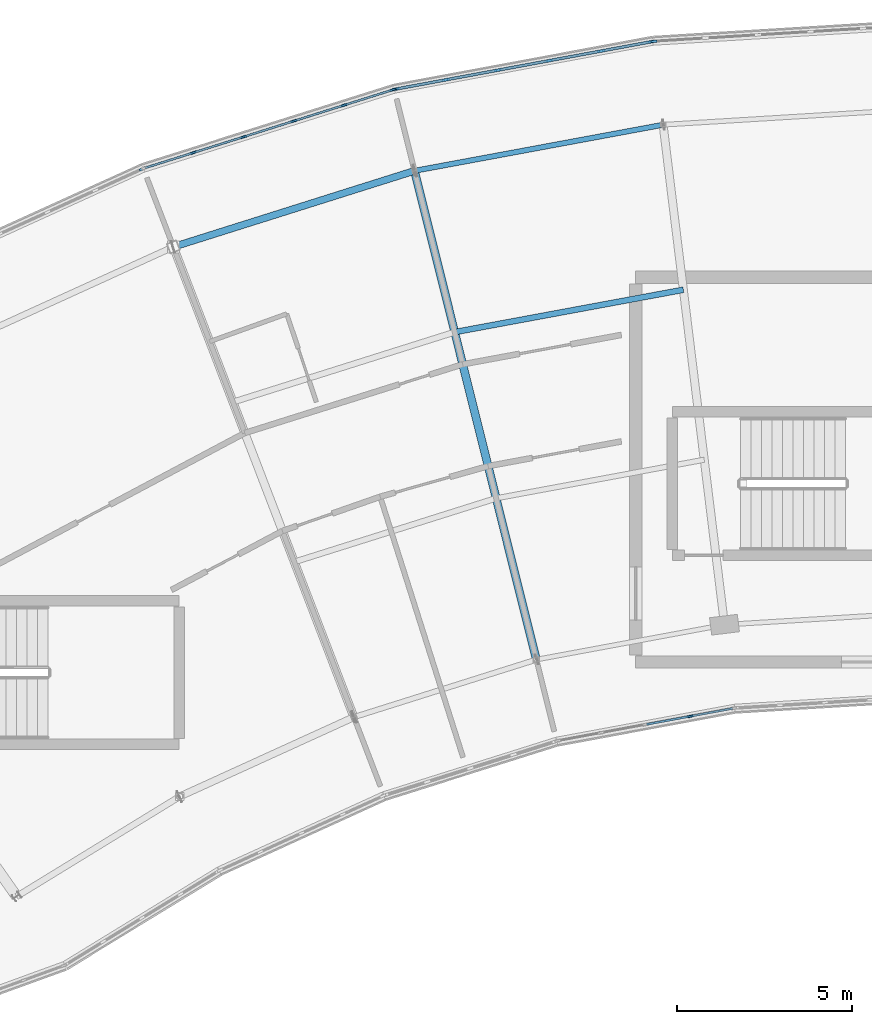
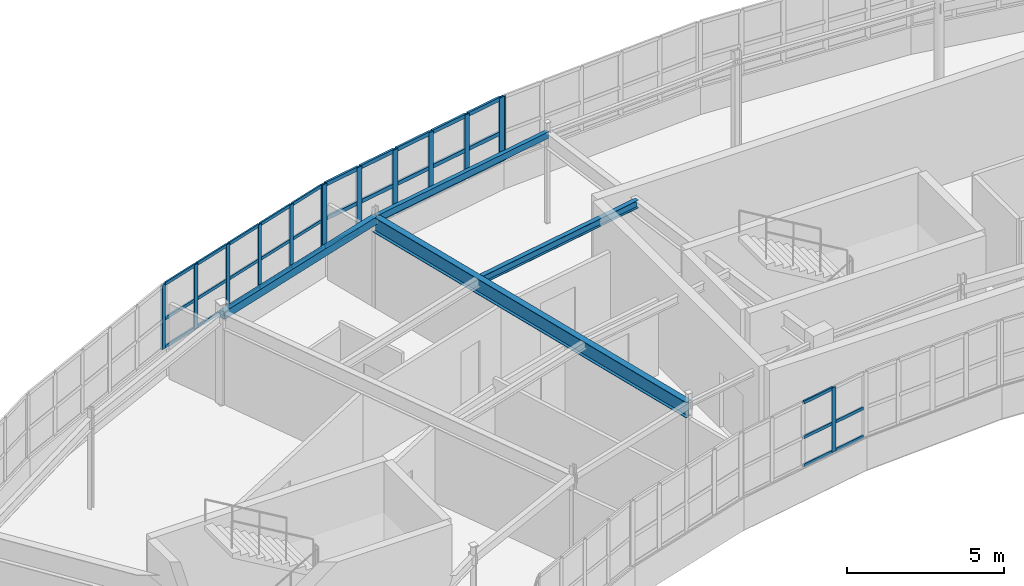
# One storey, part 28 of 65: 49 members, 4 beams, 5 elements without a shape of their own.
"""IFC4 building model written with IfcOpenShell, lengths in metres."""

import ifcopenshell
import ifcopenshell.guid

model = None  # the IFC model being written
_history = None  # IfcOwnerHistory: only IFC2X3 demands one
_inside = {}  # id of a spatial element -> (the spatial element, [elements in it])
_under = {}  # id of a project, library or spatial element -> (it, [spatial elements below it])
_declared = {}  # id of a project -> (the project, [libraries it declares])
_typed = {}  # id of a type object -> (the type object, [elements of that type])
_made_of = {}  # id of a material, layer set ... -> (it, [elements and type objects made of it])


def new_model(schema):
    """Start an empty IFC model of exactly this schema.

    Asked for "IFC4X3", IfcOpenShell would pick the latest addendum, in which some entities
    have other attributes; the version numbers below select the first issue.
    IFC2X3 requires an IfcOwnerHistory on every rooted entity: one is made here for all.
    """
    global model, _history
    if schema == "IFC4X3":
        model = ifcopenshell.file(schema_version=(4, 3, 0, 0))
    else:
        model = ifcopenshell.file(schema=schema)
    _inside.clear()
    _under.clear()
    _declared.clear()
    _typed.clear()
    _made_of.clear()
    _history = None
    if model.schema == "IFC2X3":
        org = make("IfcOrganization", Name="unknown")
        user = make(
            "IfcPersonAndOrganization",
            ThePerson=make("IfcPerson", FamilyName="unknown"),
            TheOrganization=org,
        )
        app = make(
            "IfcApplication",
            ApplicationDeveloper=org,
            Version="unknown",
            ApplicationFullName="unknown",
            ApplicationIdentifier="unknown",
        )
        _history = make(
            "IfcOwnerHistory",
            OwningUser=user,
            OwningApplication=app,
            ChangeAction="ADDED",
            CreationDate=0,
        )
    return model


def make(cls, **values):
    """One entity of the class cls with the attributes given. An attribute that is None is left unset."""
    return model.create_entity(
        cls, **{name: value for name, value in values.items() if value is not None}
    )


def rooted(cls, **values):
    """An entity with a GlobalId (a new one), such as an element, a storey or a relation."""
    return make(cls, GlobalId=ifcopenshell.guid.new(), OwnerHistory=_history, **values)


def si_unit(unit_type, name, prefix=None):
    """IfcSIUnit, for example si_unit("LENGTHUNIT", "METRE", prefix="MILLI")."""
    return make("IfcSIUnit", UnitType=unit_type, Prefix=prefix, Name=name)


def assignment(units):
    """IfcUnitAssignment: the units of a project."""
    return None if units is None else make("IfcUnitAssignment", Units=units)


def point(xyz):
    """IfcCartesianPoint."""
    return None if xyz is None else make("IfcCartesianPoint", Coordinates=xyz)


def direction(xyz):
    """IfcDirection."""
    return None if xyz is None else make("IfcDirection", DirectionRatios=xyz)


def frame(location, z_axis=None, x_axis=None):
    """IfcAxis2Placement3D, a coordinate frame: its origin and axes. An axis left out is left unset."""
    return make(
        "IfcAxis2Placement3D",
        Location=point(location),
        Axis=direction(z_axis),
        RefDirection=direction(x_axis),
    )


def frame_2d(location, x_axis=None):
    """IfcAxis2Placement2D, a coordinate frame in the plane: its origin and x axis."""
    return make(
        "IfcAxis2Placement2D", Location=point(location), RefDirection=direction(x_axis)
    )


def origin():
    """The frame at (0, 0, 0) with its axes left unset."""
    return frame((0.0, 0.0, 0.0))


def origin_2d():
    """The frame at (0, 0) in the plane with its x axis left unset."""
    return frame_2d((0.0, 0.0))


def place(relative_to, where):
    """IfcLocalPlacement: puts the frame where relative to a parent placement (None: the world)."""
    return make(
        "IfcLocalPlacement", PlacementRelTo=relative_to, RelativePlacement=where
    )


def context(
    kind, dimensions, precision=None, world=None, true_north=None, identifier=None
):
    """IfcGeometricRepresentationContext, for example the 3D "Model" context."""
    return make(
        "IfcGeometricRepresentationContext",
        ContextIdentifier=identifier,
        ContextType=kind,
        CoordinateSpaceDimension=dimensions,
        Precision=precision,
        WorldCoordinateSystem=world,
        TrueNorth=true_north,
    )


def subcontext(parent, identifier, kind, view, scale=None):
    """IfcGeometricRepresentationSubContext, for example "Body" below "Model"."""
    return make(
        "IfcGeometricRepresentationSubContext",
        ContextIdentifier=identifier,
        ContextType=kind,
        ParentContext=parent,
        TargetScale=scale,
        TargetView=view,
    )


def project(units=None, contexts=None):
    """IfcProject with its units and contexts."""
    return rooted(
        "IfcProject",
        Name="project",
        RepresentationContexts=contexts,
        UnitsInContext=assignment(units),
    )


def spatial(cls, under=None, at=None, **own):
    """A site, building, storey or space (cls), placed at a placement, below another one or the project."""
    s = rooted(cls, ObjectPlacement=at, **own)
    if under is not None:
        _under.setdefault(under.id(), (under, []))[1].append(s)
    return s


def profile(cls, at=None, kind="AREA", **sizes):
    """A parametric profile (cls). Its sizes go by their IFC names, for example OverallWidth=200.0."""
    return make(cls, ProfileType=kind, Position=at, **sizes)


def rectangle(**sizes):
    """IfcRectangleProfileDef."""
    return profile("IfcRectangleProfileDef", **sizes)


def hollow_rectangle(**sizes):
    """IfcRectangleHollowProfileDef."""
    return profile("IfcRectangleHollowProfileDef", **sizes)


def i_section(**sizes):
    """IfcIShapeProfileDef."""
    return profile("IfcIShapeProfileDef", **sizes)


def extrude(swept, where, along, depth):
    """IfcExtrudedAreaSolid: the profile swept, set in the frame where, extruded along a direction by depth."""
    return make(
        "IfcExtrudedAreaSolid",
        SweptArea=swept,
        Position=where,
        ExtrudedDirection=direction(along),
        Depth=depth,
    )


def shape(context_of_items, identifier, shape_type, items):
    """IfcShapeRepresentation: the items that make up one representation, for example the "Body"."""
    return make(
        "IfcShapeRepresentation",
        ContextOfItems=context_of_items,
        RepresentationIdentifier=identifier,
        RepresentationType=shape_type,
        Items=items,
    )


def material(Name=None, Category=None):
    """IfcMaterial."""
    return make("IfcMaterial", Name=Name, Category=Category)


def layer(
    of_material, thickness, ventilated=None, Name=None, Category=None, Priority=None
):
    """IfcMaterialLayer: one layer of a wall or slab, of a material (None: an air gap)."""
    return make(
        "IfcMaterialLayer",
        Material=of_material,
        LayerThickness=thickness,
        IsVentilated=ventilated,
        Name=Name,
        Category=Category,
        Priority=Priority,
    )


def layer_set(layers, Name=None):
    """IfcMaterialLayerSet."""
    return make("IfcMaterialLayerSet", MaterialLayers=layers, LayerSetName=Name)


def material_profile(
    of_material, cross_section, Name=None, Category=None, Priority=None
):
    """IfcMaterialProfile: a cross section and its material."""
    return make(
        "IfcMaterialProfile",
        Name=Name,
        Material=of_material,
        Profile=cross_section,
        Priority=Priority,
        Category=Category,
    )


def profile_set(profiles, Name=None, composite=None):
    """IfcMaterialProfileSet."""
    return make(
        "IfcMaterialProfileSet",
        Name=Name,
        MaterialProfiles=profiles,
        CompositeProfile=composite,
    )


def made_of(thing, what):
    """Note that an element or type object is made of a material, layer set ...; save() writes the relation."""
    if what is not None:
        _made_of.setdefault(what.id(), (what, []))[1].append(thing)
    return thing


def type_object(cls, material=None, **own):
    """A type object (cls), such as IfcWallType, which elements share."""
    return made_of(rooted(cls, **own), material)


def element(
    cls,
    number,
    at=None,
    inside=None,
    cuts=None,
    type_object=None,
    material=None,
    context=None,
    identifier="Body",
    shape_type=None,
    held_by="IfcProductDefinitionShape",
    body=None,
    shapes=None,
    **own,
):
    """One element of the class cls, such as IfcWall. Its Tag is "e" and its number.

    at: its placement. inside: the storey or other place that contains it. cuts: it is an
    opening in that element (IfcRelVoidsElement). A single representation is given by context,
    identifier, shape_type and body (its items); several are given by shapes. held_by: the class
    of the entity that holds the representations. save() writes the other relations.
    """
    e = rooted(cls, Tag="e%d" % number, ObjectPlacement=at, **own)
    if body is not None:
        shapes = [shape(context, identifier, shape_type, body)]
    if shapes is not None:
        e.Representation = make(held_by, Representations=shapes)
    if inside is not None:
        _inside.setdefault(inside.id(), (inside, []))[1].append(e)
    if cuts is not None:
        rooted(
            "IfcRelVoidsElement", RelatingBuildingElement=cuts, RelatedOpeningElement=e
        )
    if type_object is not None:
        _typed.setdefault(type_object.id(), (type_object, []))[1].append(e)
    return made_of(e, material)


def aggregate(whole, parts):
    """IfcRelAggregates: a whole, such as a stair, and the parts it consists of."""
    return rooted("IfcRelAggregates", RelatingObject=whole, RelatedObjects=parts)


def save(model, path):
    """Write the relations noted so far, then the file.

    IfcRelAggregates (storeys below a building ...), IfcRelContainedInSpatialStructure (elements
    in a storey), IfcRelDefinesByType, IfcRelAssociatesMaterial and IfcRelDeclares: one each for
    every whole, place, type object, material and project.
    """
    for whole, parts in _under.values():
        aggregate(whole, parts)
    for where, things in _inside.values():
        rooted(
            "IfcRelContainedInSpatialStructure",
            RelatedElements=things,
            RelatingStructure=where,
        )
    for kind, things in _typed.values():
        rooted("IfcRelDefinesByType", RelatedObjects=things, RelatingType=kind)
    for what, things in _made_of.values():
        rooted("IfcRelAssociatesMaterial", RelatedObjects=things, RelatingMaterial=what)
    for by, libraries in _declared.values():
        rooted("IfcRelDeclares", RelatingContext=by, RelatedDefinitions=libraries)
    model.write(path)


model = new_model("IFC4")

# Units and contexts
model_context = context("Model", 3, precision=1e-05, world=origin(), true_north=direction((0.0, 1.0)))
body_context = subcontext(model_context, "Body", "Model", "MODEL_VIEW")
ifc_project = project(units=[si_unit("LENGTHUNIT", "METRE"), si_unit("AREAUNIT", "SQUARE_METRE"), si_unit("VOLUMEUNIT", "CUBIC_METRE"), si_unit("PLANEANGLEUNIT", "RADIAN"), si_unit("MASSUNIT", "GRAM", prefix="KILO")], contexts=[model_context])

# Site, building, storey
site_placement = place(None, origin())
site = spatial("IfcSite", under=ifc_project, at=site_placement, CompositionType="ELEMENT")
building_placement = place(site_placement, origin())
building = spatial("IfcBuilding", under=site, at=building_placement, Name="Tarnwether General Hospital", CompositionType="ELEMENT")
storey_placement = place(building_placement, frame((0.0, 0.0, 22.199951171875)))
storey = spatial("IfcBuildingStorey", under=building, at=storey_placement, Name="L05", CompositionType="ELEMENT", Elevation=22.199951171875)

# Beams
ifc_material_1 = material(Name="Steel Grade 350 (350 MPa)", Category="steel")
ifc_material_profile_1 = material_profile(ifc_material_1, i_section(OverallWidth=0.22802734375, OverallDepth=0.60693359375, WebThickness=0.01123046875, FlangeThickness=0.017333984375, at=origin_2d()), Name="610UB113")
ifc_profile_set_1 = profile_set([ifc_material_profile_1], Name="Steel Grade 350 (350 MPa)")
beam_type_1 = type_object("IfcBeamType", Name="BM-G04", PredefinedType="BEAM", material=ifc_profile_set_1)
beam_1_placement = place(storey_placement, frame((77.677978515625, 120.44189453125, 3.256591796875), z_axis=(0.241941215118, -0.970290909175, 0.0), x_axis=(0.970290909175, 0.241941215118, 0.0)))
element("IfcBeam", 1, at=beam_1_placement, inside=storey, type_object=beam_type_1, Name="Curved Ward NW Radial Girder BMG-L05-7768_12044-8116_10647-1983", PredefinedType="BEAM", context=body_context, shape_type="SweptSolid", body=[
    extrude(i_section(OverallWidth=0.22802734375, OverallDepth=0.60693359375, WebThickness=0.01123046875, FlangeThickness=0.017333984375, at=origin_2d()), origin(), (0.0, 0.0, 1.0), 14.400634765625),
])
ifc_material_2 = material(Name="Steel Grade 350 (350 MPa)", Category="steel")
ifc_material_profile_2 = material_profile(ifc_material_2, i_section(OverallWidth=0.166015625, OverallDepth=0.306884765625, WebThickness=0.006591796875, FlangeThickness=0.01171875, at=origin_2d()), Name="310UB46.2")
ifc_profile_set_2 = profile_set([ifc_material_profile_2], Name="Steel Grade 350 (350 MPa)")
beam_type_2 = type_object("IfcBeamType", Name="BM-J05", PredefinedType="JOIST", material=ifc_profile_set_2)
beam_2_placement = place(storey_placement, frame((78.827880859375, 115.8310546875, 3.406494140625), z_axis=(0.983267388773, 0.18216817004, 0.0), x_axis=(-0.18216817004, 0.983267388773, 0.0)))
element("IfcBeam", 2, at=beam_2_placement, inside=storey, type_object=beam_type_2, Name="Curved Ward NW Chord Joist BMG-L05-7883_11583-8536_11704-1997", PredefinedType="JOIST", context=body_context, shape_type="SweptSolid", body=[
    extrude(i_section(OverallWidth=0.166015625, OverallDepth=0.306884765625, WebThickness=0.006591796875, FlangeThickness=0.01171875, at=origin_2d()), origin(), (0.0, 0.0, 1.0), 6.6474609375),
])
ifc_material_3 = material(Name="Steel Grade C350L0 (350 MPa)", Category="steel")
ifc_material_profile_3 = material_profile(ifc_material_3, hollow_rectangle(XDim=0.199951171875, YDim=0.300048828125, WallThickness=0.012451171875, at=origin_2d()), Name="RHS300x200x12.5")
ifc_profile_set_3 = profile_set([ifc_material_profile_3], Name="Steel Grade C350L0 (350 MPa)")
beam_type_3 = type_object("IfcBeamType", Name="BM-SP3", PredefinedType="SPANDREL", material=ifc_profile_set_3)
beam_3_placement = place(storey_placement, frame((70.784912109375, 118.26806640625, 3.41015625), z_axis=(0.953698988948, 0.300762761125, 0.0), x_axis=(-0.300762761125, 0.953698988948, 0.0)))
element("IfcBeam", 3, at=beam_3_placement, inside=storey, type_object=beam_type_3, Name="Curved Ward NW Outer Spandrel BMG-L05-7078_11827-7768_12044-1991", PredefinedType="SPANDREL", context=body_context, shape_type="SweptSolid", body=[
    extrude(hollow_rectangle(XDim=0.199951171875, YDim=0.300048828125, WallThickness=0.012451171875, at=origin_2d()), origin(), (0.0, 0.0, 1.0), 7.227783203125),
])
ifc_material_4 = material(Name="Steel Grade C350L0 (350 MPa)", Category="steel")
ifc_material_profile_4 = material_profile(ifc_material_4, hollow_rectangle(XDim=0.14990234375, YDim=0.25, WallThickness=0.010009765625, at=origin_2d()), Name="RHS250x150x10")
ifc_profile_set_4 = profile_set([ifc_material_profile_4], Name="Steel Grade C350L0 (350 MPa)")
beam_type_4 = type_object("IfcBeamType", Name="BM-SP4", PredefinedType="SPANDREL", material=ifc_profile_set_4)
beam_4_placement = place(storey_placement, frame((77.677978515625, 120.44189453125, 3.43505859375), z_axis=(0.98325623662, 0.182228354399, 0.0), x_axis=(-0.182228354399, 0.98325623662, 0.0)))
element("IfcBeam", 4, at=beam_4_placement, inside=storey, type_object=beam_type_4, Name="Curved Ward NW Outer Spandrel BMG-L05-7768_12044-8478_12176-1995", PredefinedType="SPANDREL", context=body_context, shape_type="SweptSolid", body=[
    extrude(hollow_rectangle(XDim=0.14990234375, YDim=0.25, WallThickness=0.010009765625, at=origin_2d()), origin(), (0.0, 0.0, 1.0), 7.22802734375),
])

# Curtain wall, member
ifc_material_5 = material(Name="Anodised aluminium", Category="aluminium")
ifc_layer_1 = layer(ifc_material_5, 0.159912109375)
ifc_layer_set_1 = layer_set([ifc_layer_1], Name="Anodised aluminium")
curtain_wall_type_1 = type_object("IfcCurtainWallType", Name="CW-03", PredefinedType="NOTDEFINED", material=ifc_layer_set_1)
curtain_wall_1_placement = place(storey_placement, origin())
curtain_wall_1 = element("IfcCurtainWall", 5, at=curtain_wall_1_placement, inside=storey, type_object=curtain_wall_type_1, Name="Curtain Wall CWG-L05-868_1051-0073", PredefinedType="NOTDEFINED")
ifc_material_6 = material(Name="Anodised aluminium", Category="aluminium")
ifc_material_profile_5 = material_profile(ifc_material_6, rectangle(XDim=0.06005859375, YDim=0.159912109375, at=origin_2d()), Name="ALU-MUL-60x160")
ifc_profile_set_5 = profile_set([ifc_material_profile_5], Name="Anodised aluminium")
member_type_1 = type_object("IfcMemberType", Name="CW-ML1", PredefinedType="MULLION", material=ifc_profile_set_5)
member_1_placement = place(storey_placement, frame((85.560546875, 104.84814453125, 1.050048828125), z_axis=(0.0, 0.0, 1.0), x_axis=(0.182165351666, -0.983267910924, 0.0)))
member_1 = element("IfcMember", 6, at=member_1_placement, type_object=member_type_1, Name="CW-03 mullion 2", PredefinedType="MULLION", context=body_context, shape_type="SweptSolid", body=[
    extrude(rectangle(XDim=0.06005859375, YDim=0.159912109375, at=origin_2d()), origin(), (0.0, 0.0, 1.0), 2.510009765625),
])

# Curtain wall, members
ifc_material_7 = material(Name="Anodised aluminium", Category="aluminium")
ifc_layer_2 = layer(ifc_material_7, 0.159912109375)
ifc_layer_set_2 = layer_set([ifc_layer_2], Name="Anodised aluminium")
curtain_wall_type_2 = type_object("IfcCurtainWallType", Name="CW-05", PredefinedType="NOTDEFINED", material=ifc_layer_set_2)
curtain_wall_2_placement = place(storey_placement, origin())
curtain_wall_2 = element("IfcCurtainWall", 7, at=curtain_wall_2_placement, inside=storey, type_object=curtain_wall_type_2, Name="Curtain Wall CWG-L05-699_1205-0093", PredefinedType="NOTDEFINED")
member_2_placement = place(storey_placement, frame((71.359619140625, 120.961181640625, 1.050048828125), z_axis=(0.0, 0.0, 1.0), x_axis=(-0.300628613299, 0.953741284032, 0.0)))
member_2 = element("IfcMember", 8, at=member_2_placement, type_object=member_type_1, Name="CW-05 mullion 2", PredefinedType="MULLION", context=body_context, shape_type="SweptSolid", body=[
    extrude(rectangle(XDim=0.06005859375, YDim=0.159912109375, at=origin_2d()), origin(), (0.0, 0.0, 1.0), 2.510009765625),
])
member_3_placement = place(storey_placement, frame((72.794189453125, 121.413330078125, 1.050048828125), z_axis=(0.0, 0.0, 1.0), x_axis=(-0.300628613299, 0.953741284032, 0.0)))
member_3 = element("IfcMember", 9, at=member_3_placement, type_object=member_type_1, Name="CW-05 mullion 3", PredefinedType="MULLION", context=body_context, shape_type="SweptSolid", body=[
    extrude(rectangle(XDim=0.06005859375, YDim=0.159912109375, at=origin_2d()), origin(), (0.0, 0.0, 1.0), 2.510009765625),
])
member_4_placement = place(storey_placement, frame((74.228759765625, 121.865478515625, 1.050048828125), z_axis=(0.0, 0.0, 1.0), x_axis=(-0.300628613299, 0.953741284032, 0.0)))
member_4 = element("IfcMember", 10, at=member_4_placement, type_object=member_type_1, Name="CW-05 mullion 4", PredefinedType="MULLION", context=body_context, shape_type="SweptSolid", body=[
    extrude(rectangle(XDim=0.06005859375, YDim=0.159912109375, at=origin_2d()), origin(), (0.0, 0.0, 1.0), 2.510009765625),
])
member_5_placement = place(storey_placement, frame((75.663330078125, 122.31787109375, 1.050048828125), z_axis=(0.0, 0.0, 1.0), x_axis=(-0.300628613299, 0.953741284032, 0.0)))
member_5 = element("IfcMember", 11, at=member_5_placement, type_object=member_type_1, Name="CW-05 mullion 5", PredefinedType="MULLION", context=body_context, shape_type="SweptSolid", body=[
    extrude(rectangle(XDim=0.06005859375, YDim=0.159912109375, at=origin_2d()), origin(), (0.0, 0.0, 1.0), 2.510009765625),
])
member_6_placement = place(storey_placement, frame((77.0693359375, 122.760986328125, 1.050048828125), z_axis=(0.0, 0.0, 1.0), x_axis=(-0.300628613299, 0.953741284032, 0.0)))
member_6 = element("IfcMember", 12, at=member_6_placement, type_object=member_type_1, Name="CW-05 mullion 6", PredefinedType="MULLION", context=body_context, shape_type="SweptSolid", body=[
    extrude(rectangle(XDim=0.06005859375, YDim=0.159912109375, at=origin_2d()), origin(), (0.0, 0.0, 1.0), 2.510009765625),
])

# Curtain wall, member
curtain_wall_3_placement = place(storey_placement, origin())
curtain_wall_3 = element("IfcCurtainWall", 13, at=curtain_wall_3_placement, inside=storey, type_object=curtain_wall_type_2, Name="Curtain Wall CWG-L05-631_1174-0094", PredefinedType="NOTDEFINED")
ifc_material_8 = material(Name="Anodised aluminium", Category="aluminium")
ifc_material_profile_6 = material_profile(ifc_material_8, rectangle(XDim=0.070068359375, YDim=0.179931640625, at=origin_2d()), Name="ALU-MUL-70x180")
ifc_profile_set_6 = profile_set([ifc_material_profile_6], Name="Anodised aluminium")
member_type_2 = type_object("IfcMemberType", Name="CW-ML2", PredefinedType="MULLION", material=ifc_profile_set_6)
member_7_placement = place(storey_placement, frame((69.89306640625, 120.494384765625, 1.050048828125), z_axis=(0.0, 0.0, 1.0), x_axis=(-0.414694289316, 0.909960793886, 0.0)))
member_7 = element("IfcMember", 14, at=member_7_placement, type_object=member_type_2, Name="CW-05 mullion 6", PredefinedType="MULLION", context=body_context, shape_type="SweptSolid", body=[
    extrude(rectangle(XDim=0.070068359375, YDim=0.179931640625, at=origin_2d()), origin(), (0.0, 0.0, 1.0), 2.510009765625),
])
aggregate(curtain_wall_3, [member_7])

curtain_wall_4_placement = place(storey_placement, origin())
curtain_wall_4 = element("IfcCurtainWall", 15, at=curtain_wall_4_placement, inside=storey, type_object=curtain_wall_type_2, Name="Curtain Wall CWG-L05-845_1241-0091", PredefinedType="NOTDEFINED")
ifc_material_9 = material(Name="Anodised aluminium", Category="aluminium")
ifc_material_profile_7 = material_profile(ifc_material_9, rectangle(XDim=0.06494140625, YDim=0.169921875, at=origin_2d()), Name="ALU-MUL-65x170")
ifc_profile_set_7 = profile_set([ifc_material_profile_7], Name="Anodised aluminium")
member_type_3 = type_object("IfcMemberType", Name="CW-ML3", PredefinedType="MULLION", material=ifc_profile_set_7)
member_8_placement = place(storey_placement, frame((84.525390625, 124.14306640625, 1.050048828125), z_axis=(0.0, 0.0, 1.0), x_axis=(-0.061028962567, 0.998135995608, 0.0)))
member_8 = element("IfcMember", 16, at=member_8_placement, type_object=member_type_3, Name="CW-05 mullion 1", PredefinedType="MULLION", context=body_context, shape_type="SweptSolid", body=[
    extrude(rectangle(XDim=0.06494140625, YDim=0.169921875, at=origin_2d()), origin(), (0.0, 0.0, 1.0), 2.510009765625),
])
aggregate(curtain_wall_4, [member_8])

# Curtain wall, members
curtain_wall_5_placement = place(storey_placement, origin())
curtain_wall_5 = element("IfcCurtainWall", 17, at=curtain_wall_5_placement, inside=storey, type_object=curtain_wall_type_2, Name="Curtain Wall CWG-L05-771_1228-0092", PredefinedType="NOTDEFINED")
ifc_material_10 = material(Name="Anodised aluminium", Category="aluminium")
ifc_material_profile_8 = material_profile(ifc_material_10, rectangle(XDim=0.080078125, YDim=0.199951171875, at=origin_2d()), Name="ALU-MUL-80x200")
ifc_profile_set_8 = profile_set([ifc_material_profile_8], Name="Anodised aluminium")
member_type_4 = type_object("IfcMemberType", Name="CW-ML4", PredefinedType="MULLION", material=ifc_profile_set_8)
member_9_placement = place(storey_placement, frame((77.137451171875, 122.77734375, 1.050048828125), z_axis=(0.0, 0.0, 1.0), x_axis=(-0.182289226614, 0.983244953132, 0.0)))
member_9 = element("IfcMember", 18, at=member_9_placement, type_object=member_type_4, Name="CW-05 mullion 1", PredefinedType="MULLION", context=body_context, shape_type="SweptSolid", body=[
    extrude(rectangle(XDim=0.080078125, YDim=0.199951171875, at=origin_2d()), origin(), (0.0, 0.0, 1.0), 2.510009765625),
])
member_10_placement = place(storey_placement, frame((78.576904296875, 123.044189453125, 1.050048828125), z_axis=(0.0, 0.0, 1.0), x_axis=(-0.182289226614, 0.983244953132, 0.0)))
member_10 = element("IfcMember", 19, at=member_10_placement, type_object=member_type_4, Name="CW-05 mullion 2", PredefinedType="MULLION", context=body_context, shape_type="SweptSolid", body=[
    extrude(rectangle(XDim=0.080078125, YDim=0.199951171875, at=origin_2d()), origin(), (0.0, 0.0, 1.0), 2.510009765625),
])
member_11_placement = place(storey_placement, frame((80.055908203125, 123.318359375, 1.050048828125), z_axis=(0.0, 0.0, 1.0), x_axis=(-0.182289226614, 0.983244953132, 0.0)))
member_11 = element("IfcMember", 20, at=member_11_placement, type_object=member_type_4, Name="CW-05 mullion 3", PredefinedType="MULLION", context=body_context, shape_type="SweptSolid", body=[
    extrude(rectangle(XDim=0.080078125, YDim=0.199951171875, at=origin_2d()), origin(), (0.0, 0.0, 1.0), 2.510009765625),
])
member_12_placement = place(storey_placement, frame((81.534912109375, 123.592529296875, 1.050048828125), z_axis=(0.0, 0.0, 1.0), x_axis=(-0.182289226614, 0.983244953132, 0.0)))
member_12 = element("IfcMember", 21, at=member_12_placement, type_object=member_type_4, Name="CW-05 mullion 4", PredefinedType="MULLION", context=body_context, shape_type="SweptSolid", body=[
    extrude(rectangle(XDim=0.080078125, YDim=0.199951171875, at=origin_2d()), origin(), (0.0, 0.0, 1.0), 2.510009765625),
])
member_13_placement = place(storey_placement, frame((83.013916015625, 123.86669921875, 1.050048828125), z_axis=(0.0, 0.0, 1.0), x_axis=(-0.182289226614, 0.983244953132, 0.0)))
member_13 = element("IfcMember", 22, at=member_13_placement, type_object=member_type_4, Name="CW-05 mullion 5", PredefinedType="MULLION", context=body_context, shape_type="SweptSolid", body=[
    extrude(rectangle(XDim=0.080078125, YDim=0.199951171875, at=origin_2d()), origin(), (0.0, 0.0, 1.0), 2.510009765625),
])
member_14_placement = place(storey_placement, frame((84.45361328125, 124.1337890625, 1.050048828125), z_axis=(0.0, 0.0, 1.0), x_axis=(-0.182289226614, 0.983244953132, 0.0)))
member_14 = element("IfcMember", 23, at=member_14_placement, type_object=member_type_4, Name="CW-05 mullion 6", PredefinedType="MULLION", context=body_context, shape_type="SweptSolid", body=[
    extrude(rectangle(XDim=0.080078125, YDim=0.199951171875, at=origin_2d()), origin(), (0.0, 0.0, 1.0), 2.510009765625),
])

# Member
ifc_material_11 = material(Name="Anodised aluminium", Category="aluminium")
ifc_material_profile_9 = material_profile(ifc_material_11, rectangle(XDim=0.06005859375, YDim=0.1201171875, at=origin_2d()), Name="ALU-TRN-60x120")
ifc_profile_set_9 = profile_set([ifc_material_profile_9], Name="Anodised aluminium")
member_type_5 = type_object("IfcMemberType", Name="CW-TR1", PredefinedType="USERDEFINED", material=ifc_profile_set_9)
member_15_placement = place(storey_placement, frame((86.77392578125, 105.072998046875, 1.080078125), z_axis=(-0.983280660262, -0.182096521533, 0.0), x_axis=(0.182096521533, -0.983280660262, 0.0)))
member_15 = element("IfcMember", 24, at=member_15_placement, type_object=member_type_5, Name="CW-03 transom 1.1", ObjectType="TRANSOM", PredefinedType="USERDEFINED", context=body_context, shape_type="SweptSolid", body=[
    extrude(rectangle(XDim=0.06005859375, YDim=0.1201171875, at=origin_2d()), origin(), (0.0, 0.0, 1.0), 1.203857421875),
])

member_16_placement = place(storey_placement, frame((86.77392578125, 105.072998046875, 2.179443359375), z_axis=(-0.983280660262, -0.182096521533, 0.0), x_axis=(0.182096521533, -0.983280660262, 0.0)))
member_16 = element("IfcMember", 25, at=member_16_placement, type_object=member_type_5, Name="CW-03 transom 1.2", ObjectType="TRANSOM", PredefinedType="USERDEFINED", context=body_context, shape_type="SweptSolid", body=[
    extrude(rectangle(XDim=0.06005859375, YDim=0.1201171875, at=origin_2d()), origin(), (0.0, 0.0, 1.0), 1.203857421875),
])

member_17_placement = place(storey_placement, frame((85.531005859375, 104.8427734375, 1.080078125), z_axis=(-0.983266261218, -0.182174256001, 0.0), x_axis=(0.182174256001, -0.983266261218, 0.0)))
member_17 = element("IfcMember", 26, at=member_17_placement, type_object=member_type_5, Name="CW-03 transom 2.1", ObjectType="TRANSOM", PredefinedType="USERDEFINED", context=body_context, shape_type="SweptSolid", body=[
    extrude(rectangle(XDim=0.06005859375, YDim=0.1201171875, at=origin_2d()), origin(), (0.0, 0.0, 1.0), 1.234375),
])

member_18_placement = place(storey_placement, frame((85.531005859375, 104.8427734375, 2.179443359375), z_axis=(-0.983266261218, -0.182174256001, 0.0), x_axis=(0.182174256001, -0.983266261218, 0.0)))
member_18 = element("IfcMember", 27, at=member_18_placement, type_object=member_type_5, Name="CW-03 transom 2.2", ObjectType="TRANSOM", PredefinedType="USERDEFINED", context=body_context, shape_type="SweptSolid", body=[
    extrude(rectangle(XDim=0.06005859375, YDim=0.1201171875, at=origin_2d()), origin(), (0.0, 0.0, 1.0), 1.234375),
])

member_19_placement = place(storey_placement, frame((85.531005859375, 104.8427734375, 3.530029296875), z_axis=(-0.983266261218, -0.182174256001, 0.0), x_axis=(0.182174256001, -0.983266261218, 0.0)))
member_19 = element("IfcMember", 28, at=member_19_placement, type_object=member_type_5, Name="CW-03 transom 2.3", ObjectType="TRANSOM", PredefinedType="USERDEFINED", context=body_context, shape_type="SweptSolid", body=[
    extrude(rectangle(XDim=0.06005859375, YDim=0.1201171875, at=origin_2d()), origin(), (0.0, 0.0, 1.0), 1.234375),
])

aggregate(curtain_wall_1, [member_1, member_15, member_16, member_17, member_18, member_19])

member_20_placement = place(storey_placement, frame((69.982177734375, 120.527099609375, 1.080078125), z_axis=(0.95376772244, 0.300544724845, 0.0), x_axis=(-0.300544724845, 0.95376772244, 0.0)))
member_20 = element("IfcMember", 29, at=member_20_placement, type_object=member_type_5, Name="CW-05 transom 1.1", ObjectType="TRANSOM", PredefinedType="USERDEFINED", context=body_context, shape_type="SweptSolid", body=[
    extrude(rectangle(XDim=0.06005859375, YDim=0.1201171875, at=origin_2d()), origin(), (0.0, 0.0, 1.0), 1.414306640625),
])

member_21_placement = place(storey_placement, frame((69.982177734375, 120.527099609375, 2.179443359375), z_axis=(0.95376772244, 0.300544724845, 0.0), x_axis=(-0.300544724845, 0.95376772244, 0.0)))
member_21 = element("IfcMember", 30, at=member_21_placement, type_object=member_type_5, Name="CW-05 transom 1.2", ObjectType="TRANSOM", PredefinedType="USERDEFINED", context=body_context, shape_type="SweptSolid", body=[
    extrude(rectangle(XDim=0.06005859375, YDim=0.1201171875, at=origin_2d()), origin(), (0.0, 0.0, 1.0), 1.414306640625),
])

member_22_placement = place(storey_placement, frame((69.982177734375, 120.527099609375, 3.530029296875), z_axis=(0.95376772244, 0.300544724845, 0.0), x_axis=(-0.300544724845, 0.95376772244, 0.0)))
member_22 = element("IfcMember", 31, at=member_22_placement, type_object=member_type_5, Name="CW-05 transom 1.3", ObjectType="TRANSOM", PredefinedType="USERDEFINED", context=body_context, shape_type="SweptSolid", body=[
    extrude(rectangle(XDim=0.06005859375, YDim=0.1201171875, at=origin_2d()), origin(), (0.0, 0.0, 1.0), 1.414306640625),
])

member_23_placement = place(storey_placement, frame((71.38818359375, 120.97021484375, 1.080078125), z_axis=(0.953761337275, 0.300564987181, 0.0), x_axis=(-0.300564987181, 0.953761337275, 0.0)))
member_23 = element("IfcMember", 32, at=member_23_placement, type_object=member_type_5, Name="CW-05 transom 2.1", ObjectType="TRANSOM", PredefinedType="USERDEFINED", context=body_context, shape_type="SweptSolid", body=[
    extrude(rectangle(XDim=0.06005859375, YDim=0.1201171875, at=origin_2d()), origin(), (0.0, 0.0, 1.0), 1.4443359375),
])

member_24_placement = place(storey_placement, frame((71.38818359375, 120.97021484375, 2.179443359375), z_axis=(0.953761337275, 0.300564987181, 0.0), x_axis=(-0.300564987181, 0.953761337275, 0.0)))
member_24 = element("IfcMember", 33, at=member_24_placement, type_object=member_type_5, Name="CW-05 transom 2.2", ObjectType="TRANSOM", PredefinedType="USERDEFINED", context=body_context, shape_type="SweptSolid", body=[
    extrude(rectangle(XDim=0.06005859375, YDim=0.1201171875, at=origin_2d()), origin(), (0.0, 0.0, 1.0), 1.4443359375),
])

member_25_placement = place(storey_placement, frame((71.38818359375, 120.97021484375, 3.530029296875), z_axis=(0.953761337275, 0.300564987181, 0.0), x_axis=(-0.300564987181, 0.953761337275, 0.0)))
member_25 = element("IfcMember", 34, at=member_25_placement, type_object=member_type_5, Name="CW-05 transom 2.3", ObjectType="TRANSOM", PredefinedType="USERDEFINED", context=body_context, shape_type="SweptSolid", body=[
    extrude(rectangle(XDim=0.06005859375, YDim=0.1201171875, at=origin_2d()), origin(), (0.0, 0.0, 1.0), 1.4443359375),
])

member_26_placement = place(storey_placement, frame((72.82275390625, 121.42236328125, 1.080078125), z_axis=(0.953712867195, 0.300718750574, 0.0), x_axis=(-0.300718750574, 0.953712867195, 0.0)))
member_26 = element("IfcMember", 35, at=member_26_placement, type_object=member_type_5, Name="CW-05 transom 3.1", ObjectType="TRANSOM", PredefinedType="USERDEFINED", context=body_context, shape_type="SweptSolid", body=[
    extrude(rectangle(XDim=0.06005859375, YDim=0.1201171875, at=origin_2d()), origin(), (0.0, 0.0, 1.0), 1.4443359375),
])

member_27_placement = place(storey_placement, frame((72.82275390625, 121.42236328125, 2.179443359375), z_axis=(0.953712867195, 0.300718750574, 0.0), x_axis=(-0.300718750574, 0.953712867195, 0.0)))
member_27 = element("IfcMember", 36, at=member_27_placement, type_object=member_type_5, Name="CW-05 transom 3.2", ObjectType="TRANSOM", PredefinedType="USERDEFINED", context=body_context, shape_type="SweptSolid", body=[
    extrude(rectangle(XDim=0.06005859375, YDim=0.1201171875, at=origin_2d()), origin(), (0.0, 0.0, 1.0), 1.4443359375),
])

member_28_placement = place(storey_placement, frame((72.82275390625, 121.42236328125, 3.530029296875), z_axis=(0.953712867195, 0.300718750574, 0.0), x_axis=(-0.300718750574, 0.953712867195, 0.0)))
member_28 = element("IfcMember", 37, at=member_28_placement, type_object=member_type_5, Name="CW-05 transom 3.3", ObjectType="TRANSOM", PredefinedType="USERDEFINED", context=body_context, shape_type="SweptSolid", body=[
    extrude(rectangle(XDim=0.06005859375, YDim=0.1201171875, at=origin_2d()), origin(), (0.0, 0.0, 1.0), 1.4443359375),
])

member_29_placement = place(storey_placement, frame((74.25732421875, 121.87451171875, 1.080078125), z_axis=(0.953712867195, 0.300718750574, 0.0), x_axis=(-0.300718750574, 0.953712867195, 0.0)))
member_29 = element("IfcMember", 38, at=member_29_placement, type_object=member_type_5, Name="CW-05 transom 4.1", ObjectType="TRANSOM", PredefinedType="USERDEFINED", context=body_context, shape_type="SweptSolid", body=[
    extrude(rectangle(XDim=0.06005859375, YDim=0.1201171875, at=origin_2d()), origin(), (0.0, 0.0, 1.0), 1.4443359375),
])

member_30_placement = place(storey_placement, frame((74.25732421875, 121.87451171875, 2.179443359375), z_axis=(0.953712867195, 0.300718750574, 0.0), x_axis=(-0.300718750574, 0.953712867195, 0.0)))
member_30 = element("IfcMember", 39, at=member_30_placement, type_object=member_type_5, Name="CW-05 transom 4.2", ObjectType="TRANSOM", PredefinedType="USERDEFINED", context=body_context, shape_type="SweptSolid", body=[
    extrude(rectangle(XDim=0.06005859375, YDim=0.1201171875, at=origin_2d()), origin(), (0.0, 0.0, 1.0), 1.4443359375),
])

member_31_placement = place(storey_placement, frame((74.25732421875, 121.87451171875, 3.530029296875), z_axis=(0.953712867195, 0.300718750574, 0.0), x_axis=(-0.300718750574, 0.953712867195, 0.0)))
member_31 = element("IfcMember", 40, at=member_31_placement, type_object=member_type_5, Name="CW-05 transom 4.3", ObjectType="TRANSOM", PredefinedType="USERDEFINED", context=body_context, shape_type="SweptSolid", body=[
    extrude(rectangle(XDim=0.06005859375, YDim=0.1201171875, at=origin_2d()), origin(), (0.0, 0.0, 1.0), 1.4443359375),
])

member_32_placement = place(storey_placement, frame((75.69189453125, 122.326904296875, 1.080078125), z_axis=(0.95376772244, 0.300544724845, 0.0), x_axis=(-0.300544724845, 0.95376772244, 0.0)))
member_32 = element("IfcMember", 41, at=member_32_placement, type_object=member_type_5, Name="CW-05 transom 5.1", ObjectType="TRANSOM", PredefinedType="USERDEFINED", context=body_context, shape_type="SweptSolid", body=[
    extrude(rectangle(XDim=0.06005859375, YDim=0.1201171875, at=origin_2d()), origin(), (0.0, 0.0, 1.0), 1.414306640625),
])

member_33_placement = place(storey_placement, frame((75.69189453125, 122.326904296875, 2.179443359375), z_axis=(0.95376772244, 0.300544724845, 0.0), x_axis=(-0.300544724845, 0.95376772244, 0.0)))
member_33 = element("IfcMember", 42, at=member_33_placement, type_object=member_type_5, Name="CW-05 transom 5.2", ObjectType="TRANSOM", PredefinedType="USERDEFINED", context=body_context, shape_type="SweptSolid", body=[
    extrude(rectangle(XDim=0.06005859375, YDim=0.1201171875, at=origin_2d()), origin(), (0.0, 0.0, 1.0), 1.414306640625),
])

member_34_placement = place(storey_placement, frame((75.69189453125, 122.326904296875, 3.530029296875), z_axis=(0.95376772244, 0.300544724845, 0.0), x_axis=(-0.300544724845, 0.95376772244, 0.0)))
member_34 = element("IfcMember", 43, at=member_34_placement, type_object=member_type_5, Name="CW-05 transom 5.3", ObjectType="TRANSOM", PredefinedType="USERDEFINED", context=body_context, shape_type="SweptSolid", body=[
    extrude(rectangle(XDim=0.06005859375, YDim=0.1201171875, at=origin_2d()), origin(), (0.0, 0.0, 1.0), 1.414306640625),
])

aggregate(curtain_wall_2, [member_2, member_3, member_4, member_5, member_6, member_20, member_21, member_22, member_23, member_24, member_25, member_26, member_27, member_28, member_29, member_30, member_31, member_32, member_33, member_34])

ifc_material_12 = material(Name="Anodised aluminium", Category="aluminium")
ifc_material_profile_10 = material_profile(ifc_material_12, rectangle(XDim=0.080078125, YDim=0.14990234375, at=origin_2d()), Name="ALU-TRN-80x150")
ifc_profile_set_10 = profile_set([ifc_material_profile_10], Name="Anodised aluminium")
member_type_6 = type_object("IfcMemberType", Name="CW-TR4", PredefinedType="USERDEFINED", material=ifc_profile_set_10)
member_35_placement = place(storey_placement, frame((77.1767578125, 122.78466796875, 1.090087890625), z_axis=(0.983257430954, 0.182221909971, 0.0), x_axis=(-0.182221909971, 0.983257430954, 0.0)))
member_35 = element("IfcMember", 44, at=member_35_placement, type_object=member_type_6, Name="CW-05 transom 1.1", ObjectType="TRANSOM", PredefinedType="USERDEFINED", context=body_context, shape_type="SweptSolid", body=[
    extrude(rectangle(XDim=0.080078125, YDim=0.14990234375, at=origin_2d()), origin(), (0.0, 0.0, 1.0), 1.384033203125),
])

member_36_placement = place(storey_placement, frame((77.1767578125, 122.78466796875, 2.179443359375), z_axis=(0.983257430954, 0.182221909971, 0.0), x_axis=(-0.182221909971, 0.983257430954, 0.0)))
member_36 = element("IfcMember", 45, at=member_36_placement, type_object=member_type_6, Name="CW-05 transom 1.2", ObjectType="TRANSOM", PredefinedType="USERDEFINED", context=body_context, shape_type="SweptSolid", body=[
    extrude(rectangle(XDim=0.080078125, YDim=0.14990234375, at=origin_2d()), origin(), (0.0, 0.0, 1.0), 1.384033203125),
])

member_37_placement = place(storey_placement, frame((77.1767578125, 122.78466796875, 3.52001953125), z_axis=(0.983257430954, 0.182221909971, 0.0), x_axis=(-0.182221909971, 0.983257430954, 0.0)))
member_37 = element("IfcMember", 46, at=member_37_placement, type_object=member_type_6, Name="CW-05 transom 1.3", ObjectType="TRANSOM", PredefinedType="USERDEFINED", context=body_context, shape_type="SweptSolid", body=[
    extrude(rectangle(XDim=0.080078125, YDim=0.14990234375, at=origin_2d()), origin(), (0.0, 0.0, 1.0), 1.384033203125),
])

member_38_placement = place(storey_placement, frame((78.6162109375, 123.051513671875, 1.090087890625), z_axis=(0.983258125219, 0.182218163722, 0.0), x_axis=(-0.182218163722, 0.983258125219, 0.0)))
member_38 = element("IfcMember", 47, at=member_38_placement, type_object=member_type_6, Name="CW-05 transom 2.1", ObjectType="TRANSOM", PredefinedType="USERDEFINED", context=body_context, shape_type="SweptSolid", body=[
    extrude(rectangle(XDim=0.080078125, YDim=0.14990234375, at=origin_2d()), origin(), (0.0, 0.0, 1.0), 1.42431640625),
])

member_39_placement = place(storey_placement, frame((78.6162109375, 123.051513671875, 2.179443359375), z_axis=(0.983258125219, 0.182218163722, 0.0), x_axis=(-0.182218163722, 0.983258125219, 0.0)))
member_39 = element("IfcMember", 48, at=member_39_placement, type_object=member_type_6, Name="CW-05 transom 2.2", ObjectType="TRANSOM", PredefinedType="USERDEFINED", context=body_context, shape_type="SweptSolid", body=[
    extrude(rectangle(XDim=0.080078125, YDim=0.14990234375, at=origin_2d()), origin(), (0.0, 0.0, 1.0), 1.42431640625),
])

member_40_placement = place(storey_placement, frame((78.6162109375, 123.051513671875, 3.52001953125), z_axis=(0.983258125219, 0.182218163722, 0.0), x_axis=(-0.182218163722, 0.983258125219, 0.0)))
member_40 = element("IfcMember", 49, at=member_40_placement, type_object=member_type_6, Name="CW-05 transom 2.3", ObjectType="TRANSOM", PredefinedType="USERDEFINED", context=body_context, shape_type="SweptSolid", body=[
    extrude(rectangle(XDim=0.080078125, YDim=0.14990234375, at=origin_2d()), origin(), (0.0, 0.0, 1.0), 1.42431640625),
])

member_41_placement = place(storey_placement, frame((80.09521484375, 123.32568359375, 1.090087890625), z_axis=(0.983258125219, 0.182218163722, 0.0), x_axis=(-0.182218163722, 0.983258125219, 0.0)))
member_41 = element("IfcMember", 50, at=member_41_placement, type_object=member_type_6, Name="CW-05 transom 3.1", ObjectType="TRANSOM", PredefinedType="USERDEFINED", context=body_context, shape_type="SweptSolid", body=[
    extrude(rectangle(XDim=0.080078125, YDim=0.14990234375, at=origin_2d()), origin(), (0.0, 0.0, 1.0), 1.42431640625),
])

member_42_placement = place(storey_placement, frame((80.09521484375, 123.32568359375, 2.179443359375), z_axis=(0.983258125219, 0.182218163722, 0.0), x_axis=(-0.182218163722, 0.983258125219, 0.0)))
member_42 = element("IfcMember", 51, at=member_42_placement, type_object=member_type_6, Name="CW-05 transom 3.2", ObjectType="TRANSOM", PredefinedType="USERDEFINED", context=body_context, shape_type="SweptSolid", body=[
    extrude(rectangle(XDim=0.080078125, YDim=0.14990234375, at=origin_2d()), origin(), (0.0, 0.0, 1.0), 1.42431640625),
])

member_43_placement = place(storey_placement, frame((80.09521484375, 123.32568359375, 3.52001953125), z_axis=(0.983258125219, 0.182218163722, 0.0), x_axis=(-0.182218163722, 0.983258125219, 0.0)))
member_43 = element("IfcMember", 52, at=member_43_placement, type_object=member_type_6, Name="CW-05 transom 3.3", ObjectType="TRANSOM", PredefinedType="USERDEFINED", context=body_context, shape_type="SweptSolid", body=[
    extrude(rectangle(XDim=0.080078125, YDim=0.14990234375, at=origin_2d()), origin(), (0.0, 0.0, 1.0), 1.42431640625),
])

member_44_placement = place(storey_placement, frame((81.57421875, 123.599853515625, 1.090087890625), z_axis=(0.983227399541, 0.182383883039, 0.0), x_axis=(-0.182383883039, 0.983227399541, 0.0)))
member_44 = element("IfcMember", 53, at=member_44_placement, type_object=member_type_6, Name="CW-05 transom 4.1", ObjectType="TRANSOM", PredefinedType="USERDEFINED", context=body_context, shape_type="SweptSolid", body=[
    extrude(rectangle(XDim=0.080078125, YDim=0.14990234375, at=origin_2d()), origin(), (0.0, 0.0, 1.0), 1.42431640625),
])

member_45_placement = place(storey_placement, frame((81.57421875, 123.599853515625, 2.179443359375), z_axis=(0.983227399541, 0.182383883039, 0.0), x_axis=(-0.182383883039, 0.983227399541, 0.0)))
member_45 = element("IfcMember", 54, at=member_45_placement, type_object=member_type_6, Name="CW-05 transom 4.2", ObjectType="TRANSOM", PredefinedType="USERDEFINED", context=body_context, shape_type="SweptSolid", body=[
    extrude(rectangle(XDim=0.080078125, YDim=0.14990234375, at=origin_2d()), origin(), (0.0, 0.0, 1.0), 1.42431640625),
])

member_46_placement = place(storey_placement, frame((81.57421875, 123.599853515625, 3.52001953125), z_axis=(0.983227399541, 0.182383883039, 0.0), x_axis=(-0.182383883039, 0.983227399541, 0.0)))
member_46 = element("IfcMember", 55, at=member_46_placement, type_object=member_type_6, Name="CW-05 transom 4.3", ObjectType="TRANSOM", PredefinedType="USERDEFINED", context=body_context, shape_type="SweptSolid", body=[
    extrude(rectangle(XDim=0.080078125, YDim=0.14990234375, at=origin_2d()), origin(), (0.0, 0.0, 1.0), 1.42431640625),
])

member_47_placement = place(storey_placement, frame((83.05322265625, 123.8740234375, 1.090087890625), z_axis=(0.983231677893, 0.18236081703, 0.0), x_axis=(-0.18236081703, 0.983231677893, 0.0)))
member_47 = element("IfcMember", 56, at=member_47_placement, type_object=member_type_6, Name="CW-05 transom 5.1", ObjectType="TRANSOM", PredefinedType="USERDEFINED", context=body_context, shape_type="SweptSolid", body=[
    extrude(rectangle(XDim=0.080078125, YDim=0.14990234375, at=origin_2d()), origin(), (0.0, 0.0, 1.0), 1.38427734375),
])

member_48_placement = place(storey_placement, frame((83.05322265625, 123.8740234375, 2.179443359375), z_axis=(0.983231677893, 0.18236081703, 0.0), x_axis=(-0.18236081703, 0.983231677893, 0.0)))
member_48 = element("IfcMember", 57, at=member_48_placement, type_object=member_type_6, Name="CW-05 transom 5.2", ObjectType="TRANSOM", PredefinedType="USERDEFINED", context=body_context, shape_type="SweptSolid", body=[
    extrude(rectangle(XDim=0.080078125, YDim=0.14990234375, at=origin_2d()), origin(), (0.0, 0.0, 1.0), 1.38427734375),
])

member_49_placement = place(storey_placement, frame((83.05322265625, 123.8740234375, 3.52001953125), z_axis=(0.983231677893, 0.18236081703, 0.0), x_axis=(-0.18236081703, 0.983231677893, 0.0)))
member_49 = element("IfcMember", 58, at=member_49_placement, type_object=member_type_6, Name="CW-05 transom 5.3", ObjectType="TRANSOM", PredefinedType="USERDEFINED", context=body_context, shape_type="SweptSolid", body=[
    extrude(rectangle(XDim=0.080078125, YDim=0.14990234375, at=origin_2d()), origin(), (0.0, 0.0, 1.0), 1.38427734375),
])

aggregate(curtain_wall_5, [member_9, member_10, member_11, member_12, member_13, member_14, member_35, member_36, member_37, member_38, member_39, member_40, member_41, member_42, member_43, member_44, member_45, member_46, member_47, member_48, member_49])

save(model, "model.ifc")
